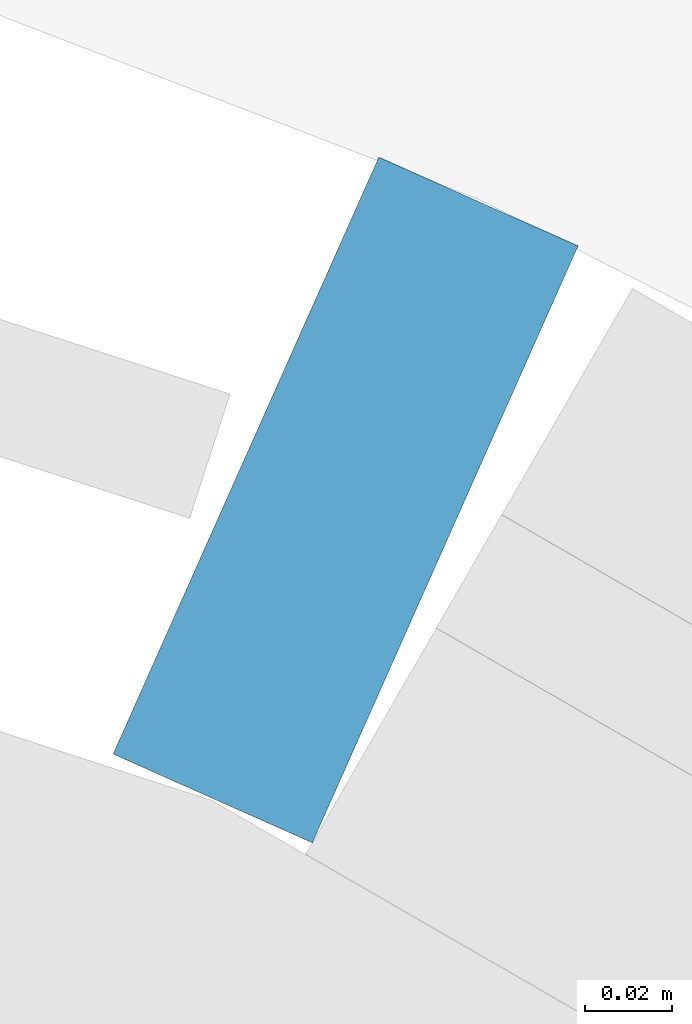
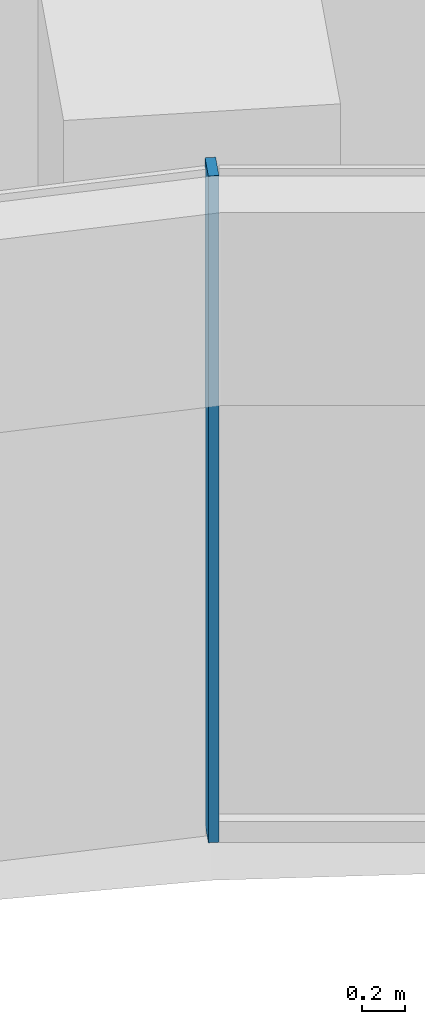
# One storey, part 4 of 20: 1 member, 1 element without a shape of its own.
"""IFC4 building model written with IfcOpenShell, lengths in metres."""

from ifc_helpers import new_model, si_unit, direction, frame, origin, origin_2d, place, context, subcontext, project, spatial, rectangle, extrude, material, layer, layer_set, material_profile, profile_set, type_object, element, aggregate, save


model = new_model("IFC4")

# Units and contexts
model_context = context("Model", 3, precision=1e-05, world=origin(), true_north=direction((0.0, 1.0)))
body_context = subcontext(model_context, "Body", "Model", "MODEL_VIEW")
ifc_project = project(units=[si_unit("LENGTHUNIT", "METRE"), si_unit("AREAUNIT", "SQUARE_METRE"), si_unit("VOLUMEUNIT", "CUBIC_METRE"), si_unit("PLANEANGLEUNIT", "RADIAN"), si_unit("MASSUNIT", "GRAM", prefix="KILO")], contexts=[model_context])

# Site, building, storey
site_placement = place(None, origin())
site = spatial("IfcSite", under=ifc_project, at=site_placement, CompositionType="ELEMENT")
building_placement = place(site_placement, origin())
building = spatial("IfcBuilding", under=site, at=building_placement, Name="Stone Belt Terrace Tower", CompositionType="ELEMENT")
storey_placement = place(building_placement, frame((0.0, 0.0, 125.0)))
storey = spatial("IfcBuildingStorey", under=building, at=storey_placement, Name="L30", CompositionType="ELEMENT", Elevation=125.0)

# Curtain wall, member
ifc_material = material(Name="Aluminium 6063-T6 anodised frame", Category="aluminium")
ifc_layer = layer(ifc_material, 0.14990234375)
ifc_layer_set = layer_set([ifc_layer], Name="CW-B unitised concave-face curtain wall")
curtain_wall_type = type_object("IfcCurtainWallType", Name="CW-B unitised concave-face curtain wall", PredefinedType="NOTDEFINED", material=ifc_layer_set)
curtain_wall_placement = place(storey_placement, origin())
curtain_wall = element("IfcCurtainWall", 1, at=curtain_wall_placement, inside=storey, type_object=curtain_wall_type, Name="CW-B concave face L30", PredefinedType="NOTDEFINED")
ifc_material_profile = material_profile(ifc_material, rectangle(XDim=0.14990234375, YDim=0.050048828125, at=origin_2d()), Name="Aluminium 6063-T6 50x150")
ifc_profile_set = profile_set([ifc_material_profile], Name="Aluminium 6063-T6 anodised frame")
member_type = type_object("IfcMemberType", Name="CW-B mullion 50 x 150", PredefinedType="MULLION", material=ifc_profile_set)
member_placement = place(storey_placement, frame((17.662353515625, 39.67041015625, 0.0), z_axis=(0.0, 0.0, 1.0), x_axis=(0.406736643076, 0.913545457643, 0.0)))
member = element("IfcMember", 2, at=member_placement, type_object=member_type, Name="CW-B mullion 7", PredefinedType="MULLION", context=body_context, shape_type="SweptSolid", body=[
    extrude(rectangle(XDim=0.14990234375, YDim=0.050048828125, at=origin_2d()), origin(), (0.0, 0.0, 1.0), 3.800048828125),
])
aggregate(curtain_wall, [member])

save(model, "model.ifc")
